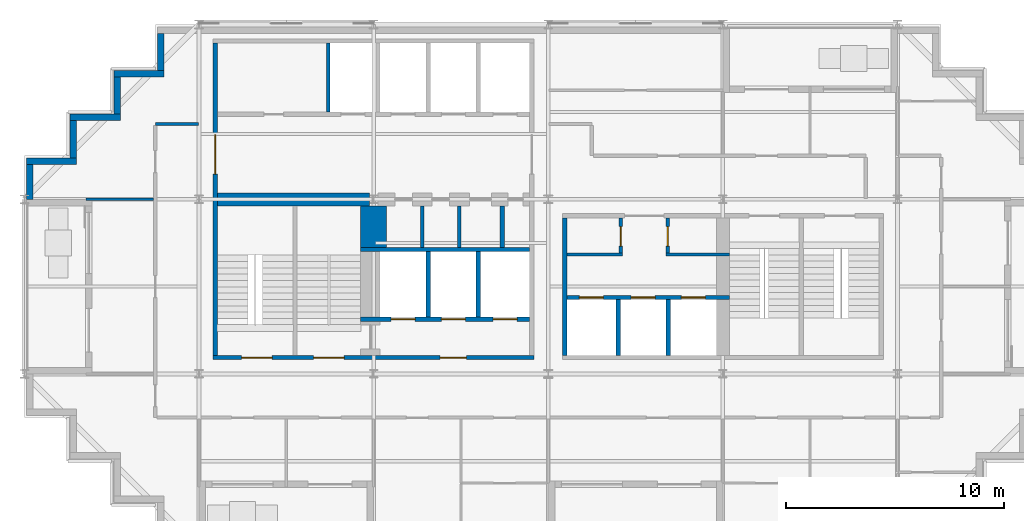
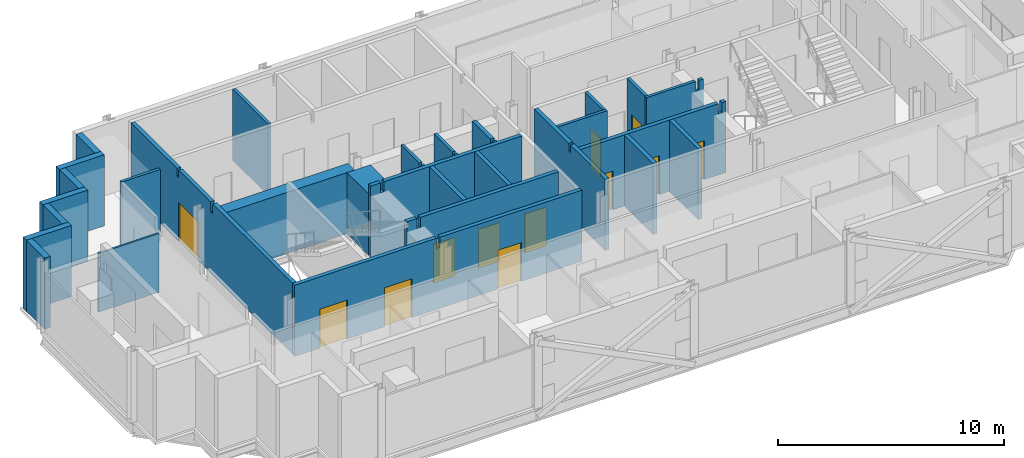
# One storey, part 5 of 10: 29 walls, 12 doors, 12 openings.
"""IFC4 building model written with IfcOpenShell, lengths in metres."""

from ifc_helpers import new_model, si_unit, direction, frame, frame_2d, origin, place, context, subcontext, project, spatial, polyline, rectangle, outline, extrude, material, layer, layer_set, type_object, element, fill, save


model = new_model("IFC4")

# Units and contexts
model_context = context("Model", 3, precision=1e-05, world=origin(), true_north=direction((0.0, 1.0)))
body_context = subcontext(model_context, "Body", "Model", "MODEL_VIEW")
ifc_project = project(units=[si_unit("LENGTHUNIT", "METRE"), si_unit("AREAUNIT", "SQUARE_METRE"), si_unit("VOLUMEUNIT", "CUBIC_METRE"), si_unit("PLANEANGLEUNIT", "RADIAN"), si_unit("MASSUNIT", "GRAM", prefix="KILO")], contexts=[model_context])

# Site, building, storey
site_placement = place(None, origin())
site = spatial("IfcSite", under=ifc_project, at=site_placement, CompositionType="ELEMENT")
building_placement = place(site_placement, origin())
building = spatial("IfcBuilding", under=site, at=building_placement, Name="Immortelle Media Tower", CompositionType="ELEMENT")
storey_placement = place(building_placement, frame((0.0, 0.0, 229.0)))
storey = spatial("IfcBuildingStorey", under=building, at=storey_placement, Name="L49", CompositionType="ELEMENT", Elevation=229.0)

# Walls
ifc_material_1 = material(Name="Fire-rated gypsum board", Category="gypsum")
ifc_layer_1 = layer(ifc_material_1, 0.02490234375)
ifc_material_2 = material(Name="Steel ASTM A653 SS Gr 50 stud frame with mineral wool", Category="steel")
ifc_layer_2 = layer(ifc_material_2, 0.10009765625)
ifc_layer_3 = layer(ifc_material_1, 0.02490234375)
ifc_layer_set_1 = layer_set([ifc_layer_1, ifc_layer_2, ifc_layer_3], Name="Steel ASTM A653 SS Gr 50 stud frame with mineral wool")
wall_type_1 = type_object("IfcWallType", Name="Core partition 150", PredefinedType="PARTITIONING", material=ifc_layer_set_1)
wall_1_placement = place(storey_placement, frame((13.925048828125, 20.0, 0.0), z_axis=(0.0, 0.0, 1.0), x_axis=(0.0, 1.0, 0.0)))
element("IfcWall", 1, at=wall_1_placement, inside=storey, type_object=wall_type_1, Name="Core partition SW", PredefinedType="PARTITIONING", context=body_context, shape_type="SweptSolid", body=[
    extrude(rectangle(XDim=3.14990234375, YDim=0.14990234375, at=frame_2d((1.574951171875, 0.0))), origin(), (0.0, 0.0, 1.0), 3.85009765625),
])
for number, where, z_axis, x_axis, name in (
    (2, (18.22509765625, 13.800048828125, 0.0), (0.0, 0.0, 1.0), (0.0, 1.0, 0.0), "Core partition SW"),
    (3, (19.925048828125, 13.800048828125, 0.0), (0.0, 0.0, 1.0), (0.0, 1.0, 0.0), "Core partition SW"),
):
    element("IfcWall", number, at=place(storey_placement, frame(where, z_axis=z_axis, x_axis=x_axis)), inside=storey, type_object=wall_type_1, Name=name, PredefinedType="PARTITIONING", context=body_context, shape_type="SweptSolid", body=[
        extrude(outline(polyline([(0.0, 0.0), (1.89990234375, 0.0), (1.89990234375, 3.85009765625), (0.27490234375, 3.85009765625), (0.27392578125, 3.43994140625), (0.1259765625, 3.43994140625), (0.125, 3.85009765625), (0.0, 3.85009765625), (0.0, 0.0)])), frame((0.0, 0.074951171875, 0.0), z_axis=(0.0, -1.0, 0.0), x_axis=(1.0, 0.0, 0.0)), (0.0, 0.0, 1.0), 0.14990234375),
    ])
wall_2_placement = place(storey_placement, frame((24.85009765625, 13.47509765625, 0.0), z_axis=(0.0, 0.0, 1.0), x_axis=(1.0, 0.0, 0.0)))
element("IfcWall", 4, at=wall_2_placement, inside=storey, type_object=wall_type_1, Name="Core partition SE", PredefinedType="PARTITIONING", context=body_context, shape_type="SweptSolid", body=[
    extrude(rectangle(XDim=2.5498046875, YDim=0.14990234375, at=frame_2d((1.27490234375, 0.0))), origin(), (0.0, 0.0, 1.0), 3.85009765625),
])

# Wall, opening, door
wall_3_placement = place(storey_placement, frame((27.324951171875, 13.550048828125, 0.0), z_axis=(0.0, 0.0, 1.0), x_axis=(0.0, 1.0, 0.0)))
wall_3 = element("IfcWall", 5, at=wall_3_placement, inside=storey, type_object=wall_type_1, Name="Core partition SE", PredefinedType="PARTITIONING", context=body_context, shape_type="SweptSolid", body=[
    extrude(rectangle(XDim=1.599853515625, YDim=0.14990234375, at=frame_2d((0.7998046875, 0.0))), origin(), (0.0, 0.0, 1.0), 3.85009765625),
])
opening_1_placement = place(wall_3_placement, frame((0.300048828125, 0.0, 0.0)))
opening_1 = element("IfcOpeningElement", 6, at=opening_1_placement, cuts=wall_3, Name="Opening O5-K020", PredefinedType="OPENING", context=body_context, shape_type="SweptSolid", body=[
    extrude(rectangle(XDim=0.89990234375, YDim=2.10009765625, at=frame_2d((0.449951171875, 1.050048828125))), frame((0.0, 0.0849609375, 0.0), z_axis=(0.0, -1.0, 0.0), x_axis=(1.0, 0.0, 0.0)), (0.0, 0.0, 1.0), 0.169921875),
])
ifc_material_3 = material(Name="Galvanised steel door leaf and frame ASTM A653", Category="steel")
door_type_1 = type_object("IfcDoorType", Name="Service door 900 x 2100", OperationType="NOTDEFINED", PredefinedType="NOTDEFINED", material=ifc_material_3)
door_1_placement = place(opening_1_placement, origin())
door_1 = element("IfcDoor", 7, at=door_1_placement, inside=storey, type_object=door_type_1, Name="Service O5-K020", OperationType="SINGLE_SWING_RIGHT", OverallHeight=2.10009765625, OverallWidth=0.89990234375, PredefinedType="NOTDEFINED", context=body_context, shape_type="SweptSolid", body=[
    extrude(rectangle(XDim=0.89990234375, YDim=2.10009765625, at=frame_2d((0.449951171875, 1.050048828125))), frame((0.0, 0.02490234375, 0.0), z_axis=(0.0, -1.0, 0.0), x_axis=(1.0, 0.0, 0.0)), (0.0, 0.0, 1.0), 0.050048828125),
])
fill(opening_1, door_1)

# Wall
wall_4_placement = place(storey_placement, frame((29.39990234375, 13.47509765625, 0.0), z_axis=(0.0, 0.0, 1.0), x_axis=(1.0, 0.0, 0.0)))
element("IfcWall", 8, at=wall_4_placement, inside=storey, type_object=wall_type_1, Name="Core partition SE", PredefinedType="PARTITIONING", context=body_context, shape_type="SweptSolid", body=[
    extrude(outline(polyline([(0.0, 0.0), (2.900146484375, 0.0), (2.89990234375, 3.85009765625), (2.6884765625, 3.85009765625), (2.6875, 3.30810546875), (2.512451171875, 3.30810546875), (2.511474609375, 3.85009765625), (0.0, 3.85009765625), (0.0, 0.0)])), frame((0.0, 0.074951171875, 0.0), z_axis=(0.0, -1.0, 0.0), x_axis=(1.0, 0.0, 0.0)), (0.0, 0.0, 1.0), 0.14990234375),
])

# Wall, opening, door
wall_5_placement = place(storey_placement, frame((29.47509765625, 13.550048828125, 0.0), z_axis=(0.0, 0.0, 1.0), x_axis=(0.0, 1.0, 0.0)))
wall_5 = element("IfcWall", 9, at=wall_5_placement, inside=storey, type_object=wall_type_1, Name="Core partition SE", PredefinedType="PARTITIONING", context=body_context, shape_type="SweptSolid", body=[
    extrude(rectangle(XDim=1.599853515625, YDim=0.14990234375, at=frame_2d((0.7998046875, 0.0))), origin(), (0.0, 0.0, 1.0), 3.85009765625),
])
opening_2_placement = place(wall_5_placement, frame((1.199951171875, 0.0, 0.0), z_axis=(0.0, 0.0, 1.0), x_axis=(-1.0, 0.0, 0.0)))
opening_2 = element("IfcOpeningElement", 10, at=opening_2_placement, cuts=wall_5, Name="Opening O5-K023", PredefinedType="OPENING", context=body_context, shape_type="SweptSolid", body=[
    extrude(rectangle(XDim=0.89990234375, YDim=2.10009765625, at=frame_2d((0.449951171875, 1.050048828125))), frame((0.0, 0.0849609375, 0.0), z_axis=(0.0, -1.0, 0.0), x_axis=(1.0, 0.0, 0.0)), (0.0, 0.0, 1.0), 0.169921875),
])
ifc_material_4 = material(Name="Timber", Category="wood")
door_type_2 = type_object("IfcDoorType", Name="Room door 900 x 2100", OperationType="NOTDEFINED", PredefinedType="NOTDEFINED", material=ifc_material_4)
door_2_placement = place(opening_2_placement, origin())
door_2 = element("IfcDoor", 11, at=door_2_placement, inside=storey, type_object=door_type_2, Name="Room O5-K023", OperationType="SINGLE_SWING_RIGHT", OverallHeight=2.10009765625, OverallWidth=0.89990234375, PredefinedType="NOTDEFINED", context=body_context, shape_type="SweptSolid", body=[
    extrude(rectangle(XDim=0.89990234375, YDim=2.10009765625, at=frame_2d((0.449951171875, 1.050048828125))), frame((0.0, 0.02490234375, 0.0), z_axis=(0.0, -1.0, 0.0), x_axis=(1.0, 0.0, 0.0)), (0.0, 0.0, 1.0), 0.050048828125),
])
fill(opening_2, door_2)

# Wall, openings, doors
ifc_layer_4 = layer(ifc_material_1, 0.03759765625)
ifc_layer_5 = layer(ifc_material_2, 0.125)
ifc_layer_6 = layer(ifc_material_1, 0.03759765625)
ifc_layer_set_2 = layer_set([ifc_layer_4, ifc_layer_5, ifc_layer_6], Name="Steel ASTM A653 SS Gr 50 stud frame with mineral wool")
wall_type_2 = type_object("IfcWallType", Name="Core shaft wall 200", PredefinedType="PARTITIONING", material=ifc_layer_set_2)
wall_6_placement = place(storey_placement, frame((15.39990234375, 10.5, 0.0), z_axis=(0.0, 0.0, 1.0), x_axis=(1.0, 0.0, 0.0)))
wall_6 = element("IfcWall", 12, at=wall_6_placement, inside=storey, type_object=wall_type_2, Name="Core shaft wall SW", PredefinedType="PARTITIONING", context=body_context, shape_type="SweptSolid", body=[
    extrude(outline(polyline([(0.0, 0.0), (7.75, 0.0), (7.75, 3.85009765625), (0.6884765625, 3.85009765625), (0.6875, 3.30810546875), (0.512451171875, 3.30810546875), (0.511474609375, 3.85009765625), (0.0, 3.85009765625), (0.0, 0.0)])), frame((0.0, 0.10009765625, 0.0), z_axis=(0.0, -1.0, 0.0), x_axis=(1.0, 0.0, 0.0)), (0.0, 0.0, 1.0), 0.199951171875),
])
opening_3_placement = place(wall_6_placement, frame((1.39990234375, 0.0, 0.0)))
opening_3 = element("IfcOpeningElement", 13, at=opening_3_placement, cuts=wall_6, Name="Opening LD", PredefinedType="OPENING", context=body_context, shape_type="SweptSolid", body=[
    extrude(rectangle(XDim=1.10009765625, YDim=2.10009765625, at=frame_2d((0.550048828125, 1.050048828125))), frame((0.0, 0.10986328125, 0.0), z_axis=(0.0, -1.0, 0.0), x_axis=(1.0, 0.0, 0.0)), (0.0, 0.0, 1.0), 0.219970703125),
])
opening_4_placement = place(wall_6_placement, frame((3.699951171875, 0.0, 0.0)))
opening_4 = element("IfcOpeningElement", 14, at=opening_4_placement, cuts=wall_6, Name="Opening LD", PredefinedType="OPENING", context=body_context, shape_type="SweptSolid", body=[
    extrude(rectangle(XDim=1.10009765625, YDim=2.10009765625, at=frame_2d((0.550048828125, 1.050048828125))), frame((0.0, 0.10986328125, 0.0), z_axis=(0.0, -1.0, 0.0), x_axis=(1.0, 0.0, 0.0)), (0.0, 0.0, 1.0), 0.219970703125),
])
opening_5_placement = place(wall_6_placement, frame((6.074951171875, 0.0, 0.0)))
opening_5 = element("IfcOpeningElement", 15, at=opening_5_placement, cuts=wall_6, Name="Opening LD", PredefinedType="OPENING", context=body_context, shape_type="SweptSolid", body=[
    extrude(rectangle(XDim=1.10009765625, YDim=2.10009765625, at=frame_2d((0.550048828125, 1.050048828125))), frame((0.0, 0.10986328125, 0.0), z_axis=(0.0, -1.0, 0.0), x_axis=(1.0, 0.0, 0.0)), (0.0, 0.0, 1.0), 0.219970703125),
])
ifc_material_5 = material(Name="Stainless steel AISI 304", Category="steel")
door_type_3 = type_object("IfcDoorType", Name="Landing door 1100 x 2100", OperationType="SLIDING_TO_LEFT", PredefinedType="NOTDEFINED", material=ifc_material_5)
door_3_placement = place(opening_3_placement, origin())
door_3 = element("IfcDoor", 16, at=door_3_placement, inside=storey, type_object=door_type_3, Name="Landing door FF1 L49", OperationType="SLIDING_TO_LEFT", OverallHeight=2.10009765625, OverallWidth=1.10009765625, PredefinedType="NOTDEFINED", context=body_context, shape_type="SweptSolid", body=[
    extrude(rectangle(XDim=1.10009765625, YDim=2.10009765625, at=frame_2d((0.550048828125, 1.050048828125))), frame((0.0, 0.02490234375, 0.0), z_axis=(0.0, -1.0, 0.0), x_axis=(1.0, 0.0, 0.0)), (0.0, 0.0, 1.0), 0.050048828125),
])
fill(opening_3, door_3)
door_4_placement = place(opening_4_placement, origin())
door_4 = element("IfcDoor", 17, at=door_4_placement, inside=storey, type_object=door_type_3, Name="Landing door FF2 L49", OperationType="SLIDING_TO_LEFT", OverallHeight=2.10009765625, OverallWidth=1.10009765625, PredefinedType="NOTDEFINED", context=body_context, shape_type="SweptSolid", body=[
    extrude(rectangle(XDim=1.10009765625, YDim=2.10009765625, at=frame_2d((0.550048828125, 1.050048828125))), frame((0.0, 0.02490234375, 0.0), z_axis=(0.0, -1.0, 0.0), x_axis=(1.0, 0.0, 0.0)), (0.0, 0.0, 1.0), 0.050048828125),
])
fill(opening_4, door_4)
door_5_placement = place(opening_5_placement, origin())
door_5 = element("IfcDoor", 18, at=door_5_placement, inside=storey, type_object=door_type_3, Name="Landing door FF3 L49", OperationType="SLIDING_TO_LEFT", OverallHeight=2.10009765625, OverallWidth=1.10009765625, PredefinedType="NOTDEFINED", context=body_context, shape_type="SweptSolid", body=[
    extrude(rectangle(XDim=1.10009765625, YDim=2.10009765625, at=frame_2d((0.550048828125, 1.050048828125))), frame((0.0, 0.02490234375, 0.0), z_axis=(0.0, -1.0, 0.0), x_axis=(1.0, 0.0, 0.0)), (0.0, 0.0, 1.0), 0.050048828125),
])
fill(opening_5, door_5)

# Walls
wall_7_placement = place(storey_placement, frame((15.39990234375, 13.699951171875, 0.0), z_axis=(0.0, 0.0, 1.0), x_axis=(1.0, 0.0, 0.0)))
element("IfcWall", 19, at=wall_7_placement, inside=storey, type_object=wall_type_2, Name="Core shaft wall SW", PredefinedType="PARTITIONING", context=body_context, shape_type="SweptSolid", body=[
    extrude(outline(polyline([(0.0, 0.0), (7.75, 0.0), (7.75, 3.85009765625), (0.6884765625, 3.85009765625), (0.6875, 3.30810546875), (0.512451171875, 3.30810546875), (0.511474609375, 3.85009765625), (0.0, 3.85009765625), (0.0, 0.0)])), frame((0.0, 0.10009765625, 0.0), z_axis=(0.0, -1.0, 0.0), x_axis=(1.0, 0.0, 0.0)), (0.0, 0.0, 1.0), 0.199951171875),
])
for number, where, z_axis, x_axis, name in (
    (20, (18.5, 10.60009765625, 0.0), (0.0, 0.0, 1.0), (0.0, 1.0, 0.0), "Core shaft wall SW"),
    (21, (20.800048828125, 10.60009765625, 0.0), (0.0, 0.0, 1.0), (0.0, 1.0, 0.0), "Core shaft wall SW"),
):
    element("IfcWall", number, at=place(storey_placement, frame(where, z_axis=z_axis, x_axis=x_axis)), inside=storey, type_object=wall_type_2, Name=name, PredefinedType="PARTITIONING", context=body_context, shape_type="SweptSolid", body=[
        extrude(rectangle(XDim=3.0, YDim=0.199951171875, at=frame_2d((1.5, 0.0))), origin(), (0.0, 0.0, 1.0), 3.85009765625),
    ])
wall_8_placement = place(storey_placement, frame((21.89990234375, 13.800048828125, 0.0), z_axis=(0.0, 0.0, 1.0), x_axis=(0.0, 1.0, 0.0)))
element("IfcWall", 22, at=wall_8_placement, inside=storey, type_object=wall_type_2, Name="Core shaft wall SW", PredefinedType="PARTITIONING", context=body_context, shape_type="SweptSolid", body=[
    extrude(outline(polyline([(0.0, 0.0), (1.89990234375, 0.0), (1.89990234375, 3.85009765625), (0.27490234375, 3.85009765625), (0.27392578125, 3.43994140625), (0.1259765625, 3.43994140625), (0.125, 3.85009765625), (0.0, 3.85009765625), (0.0, 0.0)])), frame((0.0, 0.10009765625, 0.0), z_axis=(0.0, -1.0, 0.0), x_axis=(1.0, 0.0, 0.0)), (0.0, 0.0, 1.0), 0.199951171875),
])
wall_9_placement = place(storey_placement, frame((24.75, 8.85009765625, 0.0), z_axis=(0.0, 0.0, 1.0), x_axis=(0.0, 1.0, 0.0)))
element("IfcWall", 23, at=wall_9_placement, inside=storey, type_object=wall_type_2, Name="Core shaft wall SE", PredefinedType="PARTITIONING", context=body_context, shape_type="SweptSolid", body=[
    extrude(outline(polyline([(0.0, 0.0), (6.2998046875, 0.0), (6.300048828125, 3.85009765625), (3.22509765625, 3.85009765625), (3.22412109375, 3.43994140625), (3.075927734375, 3.43994140625), (3.074951171875, 3.85009765625), (0.0, 3.85009765625), (0.0, 0.0)])), frame((0.0, 0.10009765625, 0.0), z_axis=(0.0, -1.0, 0.0), x_axis=(1.0, 0.0, 0.0)), (0.0, 0.0, 1.0), 0.199951171875),
])

# Wall, openings, doors
wall_10_placement = place(storey_placement, frame((24.85009765625, 11.5, 0.0), z_axis=(0.0, 0.0, 1.0), x_axis=(1.0, 0.0, 0.0)))
wall_10 = element("IfcWall", 24, at=wall_10_placement, inside=storey, type_object=wall_type_2, Name="Core shaft wall SE", PredefinedType="PARTITIONING", context=body_context, shape_type="SweptSolid", body=[
    extrude(outline(polyline([(0.0, 0.0), (7.449951171875, 0.0), (7.449951171875, 3.85009765625), (7.238525390625, 3.85009765625), (7.237548828125, 3.30810546875), (7.0625, 3.30810546875), (7.0615234375, 3.85009765625), (0.0, 3.85009765625), (0.0, 0.0)])), frame((0.0, 0.10009765625, 0.0), z_axis=(0.0, -1.0, 0.0), x_axis=(1.0, 0.0, 0.0)), (0.0, 0.0, 1.0), 0.199951171875),
])
opening_6_placement = place(wall_10_placement, frame((0.574951171875, 0.0, 0.0)))
opening_6 = element("IfcOpeningElement", 25, at=opening_6_placement, cuts=wall_10, Name="Opening LD", PredefinedType="OPENING", context=body_context, shape_type="SweptSolid", body=[
    extrude(rectangle(XDim=1.10009765625, YDim=2.10009765625, at=frame_2d((0.550048828125, 1.050048828125))), frame((0.0, 0.10986328125, 0.0), z_axis=(0.0, -1.0, 0.0), x_axis=(1.0, 0.0, 0.0)), (0.0, 0.0, 1.0), 0.219970703125),
])
opening_7_placement = place(wall_10_placement, frame((2.949951171875, 0.0, 0.0)))
opening_7 = element("IfcOpeningElement", 26, at=opening_7_placement, cuts=wall_10, Name="Opening LD", PredefinedType="OPENING", context=body_context, shape_type="SweptSolid", body=[
    extrude(rectangle(XDim=1.10009765625, YDim=2.10009765625, at=frame_2d((0.550048828125, 1.050048828125))), frame((0.0, 0.10986328125, 0.0), z_axis=(0.0, -1.0, 0.0), x_axis=(1.0, 0.0, 0.0)), (0.0, 0.0, 1.0), 0.219970703125),
])
opening_8_placement = place(wall_10_placement, frame((5.25, 0.0, 0.0)))
opening_8 = element("IfcOpeningElement", 27, at=opening_8_placement, cuts=wall_10, Name="Opening LD", PredefinedType="OPENING", context=body_context, shape_type="SweptSolid", body=[
    extrude(rectangle(XDim=1.10009765625, YDim=2.10009765625, at=frame_2d((0.550048828125, 1.050048828125))), frame((0.0, 0.10986328125, 0.0), z_axis=(0.0, -1.0, 0.0), x_axis=(1.0, 0.0, 0.0)), (0.0, 0.0, 1.0), 0.219970703125),
])
door_6_placement = place(opening_6_placement, origin())
door_6 = element("IfcDoor", 28, at=door_6_placement, inside=storey, type_object=door_type_3, Name="Landing door HS1 L49", OperationType="SLIDING_TO_LEFT", OverallHeight=2.10009765625, OverallWidth=1.10009765625, PredefinedType="NOTDEFINED", context=body_context, shape_type="SweptSolid", body=[
    extrude(rectangle(XDim=1.10009765625, YDim=2.10009765625, at=frame_2d((0.550048828125, 1.050048828125))), frame((0.0, 0.02490234375, 0.0), z_axis=(0.0, -1.0, 0.0), x_axis=(1.0, 0.0, 0.0)), (0.0, 0.0, 1.0), 0.050048828125),
])
fill(opening_6, door_6)
door_7_placement = place(opening_7_placement, origin())
door_7 = element("IfcDoor", 29, at=door_7_placement, inside=storey, type_object=door_type_3, Name="Landing door HS2 L49", OperationType="SLIDING_TO_LEFT", OverallHeight=2.10009765625, OverallWidth=1.10009765625, PredefinedType="NOTDEFINED", context=body_context, shape_type="SweptSolid", body=[
    extrude(rectangle(XDim=1.10009765625, YDim=2.10009765625, at=frame_2d((0.550048828125, 1.050048828125))), frame((0.0, 0.02490234375, 0.0), z_axis=(0.0, -1.0, 0.0), x_axis=(1.0, 0.0, 0.0)), (0.0, 0.0, 1.0), 0.050048828125),
])
fill(opening_7, door_7)
door_8_placement = place(opening_8_placement, origin())
door_8 = element("IfcDoor", 30, at=door_8_placement, inside=storey, type_object=door_type_3, Name="Landing door HS3 L49", OperationType="SLIDING_TO_LEFT", OverallHeight=2.10009765625, OverallWidth=1.10009765625, PredefinedType="NOTDEFINED", context=body_context, shape_type="SweptSolid", body=[
    extrude(rectangle(XDim=1.10009765625, YDim=2.10009765625, at=frame_2d((0.550048828125, 1.050048828125))), frame((0.0, 0.02490234375, 0.0), z_axis=(0.0, -1.0, 0.0), x_axis=(1.0, 0.0, 0.0)), (0.0, 0.0, 1.0), 0.050048828125),
])
fill(opening_8, door_8)

# Walls
for number, where, z_axis, x_axis, name in (
    (31, (27.199951171875, 8.85009765625, 0.0), (0.0, 0.0, 1.0), (0.0, 1.0, 0.0), "Core shaft wall SE"),
    (32, (29.5, 8.85009765625, 0.0), (0.0, 0.0, 1.0), (0.0, 1.0, 0.0), "Core shaft wall SE"),
):
    element("IfcWall", number, at=place(storey_placement, frame(where, z_axis=z_axis, x_axis=x_axis)), inside=storey, type_object=wall_type_2, Name=name, PredefinedType="PARTITIONING", context=body_context, shape_type="SweptSolid", body=[
        extrude(rectangle(XDim=2.5498046875, YDim=0.199951171875, at=frame_2d((1.27490234375, 0.0))), origin(), (0.0, 0.0, 1.0), 3.85009765625),
    ])
ifc_layer_7 = layer(ifc_material_1, 0.012451171875)
ifc_layer_8 = layer(ifc_material_2, 0.125)
ifc_layer_9 = layer(ifc_material_1, 0.012451171875)
ifc_layer_set_3 = layer_set([ifc_layer_7, ifc_layer_8, ifc_layer_9], Name="Steel ASTM A653 SS Gr 50 stud frame with mineral wool")
wall_type_3 = type_object("IfcWallType", Name="Corridor wall 150", PredefinedType="PARTITIONING", material=ifc_layer_set_3)
wall_11_placement = place(storey_placement, frame((6.0, 19.449951171875, 0.0), z_axis=(0.0, 0.0, 1.0), x_axis=(1.0, 0.0, 0.0)))
element("IfcWall", 33, at=wall_11_placement, inside=storey, type_object=wall_type_3, Name="Partition L49-031", PredefinedType="PARTITIONING", context=body_context, shape_type="SweptSolid", body=[
    extrude(rectangle(XDim=1.969970703125, YDim=0.14990234375, at=frame_2d((0.98486328125, 0.0))), origin(), (0.0, 0.0, 1.0), 3.85009765625),
])
ifc_material_6 = material(Name="Pale aluminium cladding panel", Category="aluminium")
ifc_layer_10 = layer(ifc_material_6, 0.030029296875)
ifc_layer_11 = layer(ifc_material_2, 0.257568359375)
ifc_material_7 = material(Name="Moisture-resistant gypsum board", Category="gypsum")
ifc_layer_12 = layer(ifc_material_7, 0.012451171875)
ifc_layer_set_4 = layer_set([ifc_layer_10, ifc_layer_11, ifc_layer_12], Name="Steel ASTM A653 SS Gr 50 stud frame with mineral wool")
wall_type_4 = type_object("IfcWallType", Name="Facade wall 300", PredefinedType="SOLIDWALL", material=ifc_layer_set_4)
wall_12_placement = place(storey_placement, frame((6.25, 23.60009765625, 0.0), z_axis=(0.0, 0.0, 1.0), x_axis=(0.0, -1.0, 0.0)))
element("IfcWall", 34, at=wall_12_placement, inside=storey, type_object=wall_type_4, Name="Facade wall L49 W21", PredefinedType="SOLIDWALL", context=body_context, shape_type="SweptSolid", body=[
    extrude(rectangle(XDim=1.7001953125, YDim=0.300048828125, at=frame_2d((0.85009765625, 0.0))), origin(), (0.0, 0.0, 1.0), 3.85009765625),
])
wall_13_placement = place(storey_placement, frame((6.39990234375, 21.75, 0.0), z_axis=(0.0, 0.0, 1.0), x_axis=(-1.0, 0.0, 0.0)))
element("IfcWall", 35, at=wall_13_placement, inside=storey, type_object=wall_type_4, Name="Facade wall L49 N22", PredefinedType="SOLIDWALL", context=body_context, shape_type="SweptSolid", body=[
    extrude(rectangle(XDim=2.2998046875, YDim=0.300048828125, at=frame_2d((1.14990234375, 0.0))), origin(), (0.0, 0.0, 1.0), 3.85009765625),
])
wall_14_placement = place(storey_placement, frame((4.25, 21.60009765625, 0.0), z_axis=(0.0, 0.0, 1.0), x_axis=(0.0, -1.0, 0.0)))
element("IfcWall", 36, at=wall_14_placement, inside=storey, type_object=wall_type_4, Name="Facade wall L49 W23", PredefinedType="SOLIDWALL", context=body_context, shape_type="SweptSolid", body=[
    extrude(rectangle(XDim=1.7001953125, YDim=0.300048828125, at=frame_2d((0.85009765625, 0.0))), origin(), (0.0, 0.0, 1.0), 3.85009765625),
])
wall_15_placement = place(storey_placement, frame((4.39990234375, 19.75, 0.0), z_axis=(0.0, 0.0, 1.0), x_axis=(-1.0, 0.0, 0.0)))
element("IfcWall", 37, at=wall_15_placement, inside=storey, type_object=wall_type_4, Name="Facade wall L49 N24", PredefinedType="SOLIDWALL", context=body_context, shape_type="SweptSolid", body=[
    extrude(rectangle(XDim=2.2998046875, YDim=0.300048828125, at=frame_2d((1.14990234375, 0.0))), origin(), (0.0, 0.0, 1.0), 3.85009765625),
])
wall_16_placement = place(storey_placement, frame((2.25, 19.60009765625, 0.0), z_axis=(0.0, 0.0, 1.0), x_axis=(0.0, -1.0, 0.0)))
element("IfcWall", 38, at=wall_16_placement, inside=storey, type_object=wall_type_4, Name="Facade wall L49 W25", PredefinedType="SOLIDWALL", context=body_context, shape_type="SweptSolid", body=[
    extrude(rectangle(XDim=1.7001953125, YDim=0.300048828125, at=frame_2d((0.85009765625, 0.0))), origin(), (0.0, 0.0, 1.0), 3.85009765625),
])
wall_17_placement = place(storey_placement, frame((2.39990234375, 17.75, 0.0), z_axis=(0.0, 0.0, 1.0), x_axis=(-1.0, 0.0, 0.0)))
element("IfcWall", 39, at=wall_17_placement, inside=storey, type_object=wall_type_4, Name="Facade wall L49 N26", PredefinedType="SOLIDWALL", context=body_context, shape_type="SweptSolid", body=[
    extrude(rectangle(XDim=2.2998046875, YDim=0.300048828125, at=frame_2d((1.14990234375, 0.0))), origin(), (0.0, 0.0, 1.0), 3.85009765625),
])
wall_18_placement = place(storey_placement, frame((0.25, 17.60009765625, 0.0), z_axis=(0.0, 0.0, 1.0), x_axis=(0.0, -1.0, 0.0)))
element("IfcWall", 40, at=wall_18_placement, inside=storey, type_object=wall_type_4, Name="Facade wall L49 W27", PredefinedType="SOLIDWALL", context=body_context, shape_type="SweptSolid", body=[
    extrude(rectangle(XDim=1.60009765625, YDim=0.300048828125, at=frame_2d((0.800048828125, 0.0))), origin(), (0.0, 0.0, 1.0), 3.85009765625),
])
ifc_material_8 = material(Name="Gypsum board", Category="gypsum")
ifc_layer_13 = layer(ifc_material_8, 0.012451171875)
ifc_layer_14 = layer(ifc_material_2, 0.074951171875)
ifc_layer_15 = layer(ifc_material_8, 0.012451171875)
ifc_layer_set_5 = layer_set([ifc_layer_13, ifc_layer_14, ifc_layer_15], Name="Steel ASTM A653 SS Gr 50 stud frame with mineral wool")
wall_type_5 = type_object("IfcWallType", Name="Partition 100", PredefinedType="PARTITIONING", material=ifc_layer_set_5)
wall_19_placement = place(storey_placement, frame((2.830078125, 16.0, 0.0), z_axis=(0.0, 0.0, 1.0), x_axis=(1.0, 0.0, 0.0)))
element("IfcWall", 41, at=wall_19_placement, inside=storey, type_object=wall_type_5, Name="Partition L49-021", PredefinedType="PARTITIONING", context=body_context, shape_type="SweptSolid", body=[
    extrude(rectangle(XDim=3.094970703125, YDim=0.10009765625, at=frame_2d((1.54736328125, 0.0))), origin(), (0.0, 0.0, 1.0), 3.172119140625),
])
ifc_material_9 = material(Name="Concrete C60", Category="concrete")
ifc_layer_16 = layer(ifc_material_9, 1.199951171875)
ifc_layer_set_6 = layer_set([ifc_layer_16], Name="Concrete C60")
wall_type_6 = type_object("IfcWallType", Name="Stair shaft wall 1200", PredefinedType="PARTITIONING", material=ifc_layer_set_6)
wall_20_placement = place(storey_placement, frame((16.0, 13.800048828125, 0.0), z_axis=(0.0, 0.0, 1.0), x_axis=(0.0, 1.0, 0.0)))
element("IfcWall", 42, at=wall_20_placement, inside=storey, type_object=wall_type_6, Name="Stair shaft wall SW", PredefinedType="PARTITIONING", context=body_context, shape_type="SweptSolid", body=[
    extrude(rectangle(XDim=1.89990234375, YDim=1.199951171875, at=frame_2d((0.949951171875, 0.0))), origin(), (0.0, 0.0, 1.0), 3.30810546875),
])

# Wall, openings, doors
ifc_layer_17 = layer(ifc_material_9, 0.199951171875)
ifc_layer_set_7 = layer_set([ifc_layer_17], Name="Concrete C60")
wall_type_7 = type_object("IfcWallType", Name="Stair shaft wall 200", PredefinedType="PARTITIONING", material=ifc_layer_set_7)
wall_21_placement = place(storey_placement, frame((8.64990234375, 8.75, 0.0), z_axis=(0.0, 0.0, 1.0), x_axis=(1.0, 0.0, 0.0)))
wall_21 = element("IfcWall", 43, at=wall_21_placement, inside=storey, type_object=wall_type_7, Name="Stair shaft wall SW", PredefinedType="PARTITIONING", context=body_context, shape_type="SweptSolid", body=[
    extrude(outline(polyline([(0.0, 0.0), (14.7001953125, 0.0), (14.699951171875, 3.85009765625), (7.4384765625, 3.85009765625), (7.4375, 3.30810546875), (7.262451171875, 3.30810546875), (7.261474609375, 3.85009765625), (0.0, 3.85009765625), (0.0, 0.0)])), frame((0.0, 0.10009765625, 0.0), z_axis=(0.0, -1.0, 0.0), x_axis=(1.0, 0.0, 0.0)), (0.0, 0.0, 1.0), 0.199951171875),
])
opening_9_placement = place(wall_21_placement, frame((1.300048828125, 0.0, 0.0)))
opening_9 = element("IfcOpeningElement", 44, at=opening_9_placement, cuts=wall_21, Name="Opening O5-K002", PredefinedType="OPENING", context=body_context, shape_type="SweptSolid", body=[
    extrude(rectangle(XDim=1.39990234375, YDim=2.10009765625, at=frame_2d((0.699951171875, 1.050048828125))), frame((0.0, 0.10986328125, 0.0), z_axis=(0.0, -1.0, 0.0), x_axis=(1.0, 0.0, 0.0)), (0.0, 0.0, 1.0), 0.219970703125),
])
opening_10_placement = place(wall_21_placement, frame((4.60009765625, 0.0, 0.0)))
opening_10 = element("IfcOpeningElement", 45, at=opening_10_placement, cuts=wall_21, Name="Opening O5-K004", PredefinedType="OPENING", context=body_context, shape_type="SweptSolid", body=[
    extrude(rectangle(XDim=1.39990234375, YDim=2.10009765625, at=frame_2d((0.699951171875, 1.050048828125))), frame((0.0, 0.10986328125, 0.0), z_axis=(0.0, -1.0, 0.0), x_axis=(1.0, 0.0, 0.0)), (0.0, 0.0, 1.0), 0.219970703125),
])
opening_11_placement = place(wall_21_placement, frame((10.39990234375, 0.0, 0.0)))
opening_11 = element("IfcOpeningElement", 46, at=opening_11_placement, cuts=wall_21, Name="Opening O5-K011", PredefinedType="OPENING", context=body_context, shape_type="SweptSolid", body=[
    extrude(rectangle(XDim=1.199951171875, YDim=2.10009765625, at=frame_2d((0.60009765625, 1.050048828125))), frame((0.0, 0.10986328125, 0.0), z_axis=(0.0, -1.0, 0.0), x_axis=(1.0, 0.0, 0.0)), (0.0, 0.0, 1.0), 0.219970703125),
])
door_type_4 = type_object("IfcDoorType", Name="Fire-fighting lobby door 1200 x 2100", OperationType="NOTDEFINED", PredefinedType="NOTDEFINED", material=ifc_material_3)
door_9_placement = place(opening_11_placement, origin())
door_9 = element("IfcDoor", 47, at=door_9_placement, inside=storey, type_object=door_type_4, Name="Fire-fighting lobby O5-K011", OperationType="SINGLE_SWING_RIGHT", OverallHeight=2.10009765625, OverallWidth=1.199951171875, PredefinedType="NOTDEFINED", context=body_context, shape_type="SweptSolid", body=[
    extrude(rectangle(XDim=1.199951171875, YDim=2.10009765625, at=frame_2d((0.60009765625, 1.050048828125))), frame((0.0, 0.02490234375, 0.0), z_axis=(0.0, -1.0, 0.0), x_axis=(1.0, 0.0, 0.0)), (0.0, 0.0, 1.0), 0.050048828125),
])
fill(opening_11, door_9)
door_type_5 = type_object("IfcDoorType", Name="Stair door 1400 x 2100", OperationType="DOUBLE_DOOR_SINGLE_SWING", PredefinedType="NOTDEFINED", material=ifc_material_3)
door_10_placement = place(opening_9_placement, origin())
door_10 = element("IfcDoor", 48, at=door_10_placement, inside=storey, type_object=door_type_5, Name="Stair O5-K002", OperationType="DOUBLE_DOOR_SINGLE_SWING", OverallHeight=2.10009765625, OverallWidth=1.39990234375, PredefinedType="NOTDEFINED", context=body_context, shape_type="SweptSolid", body=[
    extrude(rectangle(XDim=1.39990234375, YDim=2.10009765625, at=frame_2d((0.699951171875, 1.050048828125))), frame((0.0, 0.02490234375, 0.0), z_axis=(0.0, -1.0, 0.0), x_axis=(1.0, 0.0, 0.0)), (0.0, 0.0, 1.0), 0.050048828125),
])
fill(opening_9, door_10)
door_11_placement = place(opening_10_placement, origin())
door_11 = element("IfcDoor", 49, at=door_11_placement, inside=storey, type_object=door_type_5, Name="Stair O5-K004", OperationType="DOUBLE_DOOR_SINGLE_SWING", OverallHeight=2.10009765625, OverallWidth=1.39990234375, PredefinedType="NOTDEFINED", context=body_context, shape_type="SweptSolid", body=[
    extrude(rectangle(XDim=1.39990234375, YDim=2.10009765625, at=frame_2d((0.699951171875, 1.050048828125))), frame((0.0, 0.02490234375, 0.0), z_axis=(0.0, -1.0, 0.0), x_axis=(1.0, 0.0, 0.0)), (0.0, 0.0, 1.0), 0.050048828125),
])
fill(opening_10, door_11)

# Wall, opening, door
wall_22_placement = place(storey_placement, frame((8.75, 8.85009765625, 0.0), z_axis=(0.0, 0.0, 1.0), x_axis=(0.0, 1.0, 0.0)))
wall_22 = element("IfcWall", 50, at=wall_22_placement, inside=storey, type_object=wall_type_7, Name="Stair shaft wall SW", PredefinedType="PARTITIONING", context=body_context, shape_type="SweptSolid", body=[
    extrude(outline(polyline([(0.0, 0.0), (14.2998046875, 0.0), (14.300048828125, 3.85009765625), (10.22509765625, 3.85009765625), (10.22412109375, 3.43994140625), (10.075927734375, 3.43994140625), (10.074951171875, 3.85009765625), (7.238525390625, 3.85009765625), (7.237548828125, 3.30810546875), (7.0625, 3.30810546875), (7.0615234375, 3.85009765625), (0.0, 3.85009765625), (0.0, 0.0)])), frame((0.0, 0.10009765625, 0.0), z_axis=(0.0, -1.0, 0.0), x_axis=(1.0, 0.0, 0.0)), (0.0, 0.0, 1.0), 0.199951171875),
])
opening_12_placement = place(wall_22_placement, frame((8.300048828125, 0.0, 0.0)))
opening_12 = element("IfcOpeningElement", 51, at=opening_12_placement, cuts=wall_22, Name="Opening O5-K001", PredefinedType="OPENING", context=body_context, shape_type="SweptSolid", body=[
    extrude(rectangle(XDim=1.800048828125, YDim=2.10009765625, at=frame_2d((0.89990234375, 1.050048828125))), frame((0.0, 0.10986328125, 0.0), z_axis=(0.0, -1.0, 0.0), x_axis=(1.0, 0.0, 0.0)), (0.0, 0.0, 1.0), 0.219970703125),
])
door_type_6 = type_object("IfcDoorType", Name="Lift lobby door 1800 x 2100", OperationType="DOUBLE_DOOR_SINGLE_SWING", PredefinedType="NOTDEFINED", material=ifc_material_3)
door_12_placement = place(opening_12_placement, origin())
door_12 = element("IfcDoor", 52, at=door_12_placement, inside=storey, type_object=door_type_6, Name="Lift lobby O5-K001", OperationType="DOUBLE_DOOR_SINGLE_SWING", OverallHeight=2.10009765625, OverallWidth=1.800048828125, PredefinedType="NOTDEFINED", context=body_context, shape_type="SweptSolid", body=[
    extrude(rectangle(XDim=1.800048828125, YDim=2.10009765625, at=frame_2d((0.89990234375, 1.050048828125))), frame((0.0, 0.02490234375, 0.0), z_axis=(0.0, -1.0, 0.0), x_axis=(1.0, 0.0, 0.0)), (0.0, 0.0, 1.0), 0.050048828125),
])
fill(opening_12, door_12)

# Wall
ifc_layer_18 = layer(ifc_material_9, 0.60009765625)
ifc_layer_set_8 = layer_set([ifc_layer_18], Name="Concrete C60")
wall_type_8 = type_object("IfcWallType", Name="Stair shaft wall 600", PredefinedType="PARTITIONING", material=ifc_layer_set_8)
wall_23_placement = place(storey_placement, frame((8.85009765625, 16.0, 0.0), z_axis=(0.0, 0.0, 1.0), x_axis=(1.0, 0.0, 0.0)))
element("IfcWall", 53, at=wall_23_placement, inside=storey, type_object=wall_type_8, Name="Stair shaft wall SW", PredefinedType="PARTITIONING", context=body_context, shape_type="SweptSolid", body=[
    extrude(rectangle(XDim=6.953369140625, YDim=0.60009765625, at=frame_2d((3.4765625, 0.0))), origin(), (0.0, 0.0, 1.0), 3.30810546875),
])

save(model, "model.ifc")
